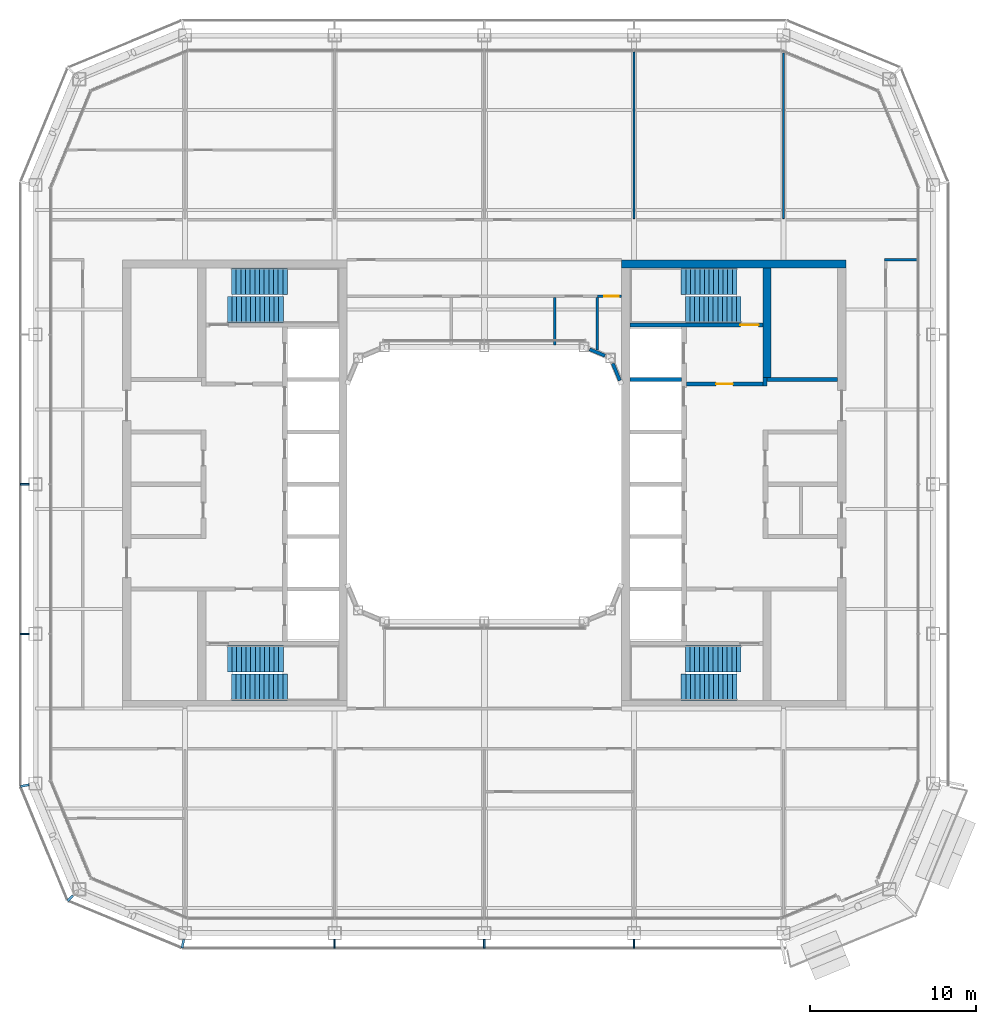
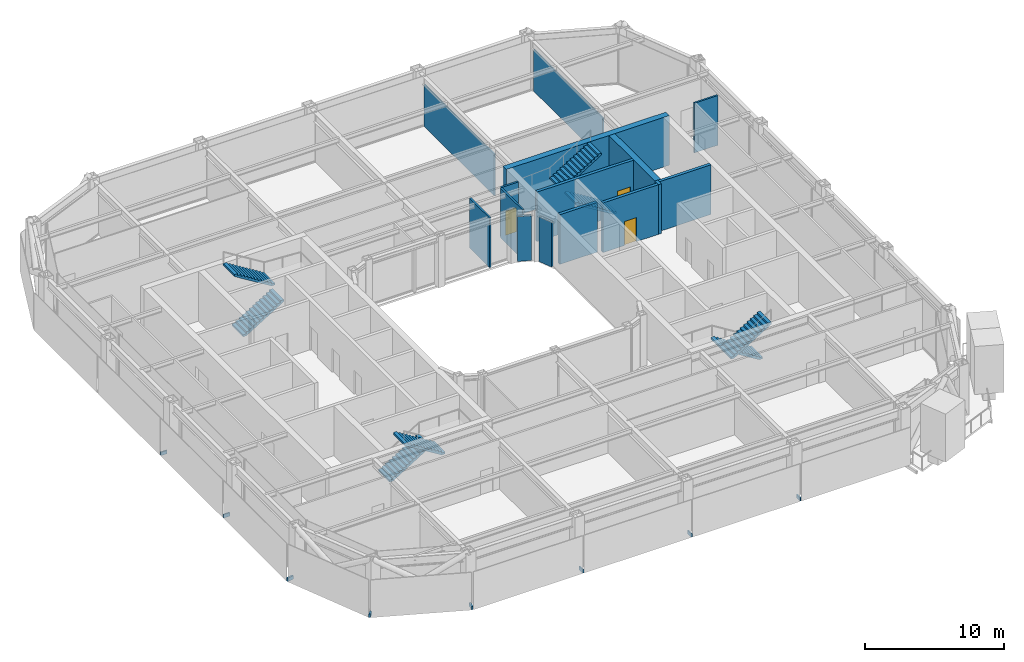
# One storey, part 15 of 22: 15 walls, 8 discrete accessories, 8 stair flights, 3 doors, 3 openings, 4 elements without a shape of their own.
"""IFC4 building model written with IfcOpenShell, lengths in metres."""

from ifc_helpers import new_model, si_unit, direction, frame, frame_2d, origin, origin_2d, place, context, subcontext, project, spatial, polyline, rectangle, outline, extrude, material, layer, layer_set, type_object, element, fill, aggregate, save


model = new_model("IFC4")

# Units and contexts
model_context = context("Model", 3, precision=1e-05, world=origin(), true_north=direction((0.0, 1.0)))
body_context = subcontext(model_context, "Body", "Model", "MODEL_VIEW")
ifc_project = project(units=[si_unit("LENGTHUNIT", "METRE"), si_unit("AREAUNIT", "SQUARE_METRE"), si_unit("VOLUMEUNIT", "CUBIC_METRE"), si_unit("PLANEANGLEUNIT", "RADIAN"), si_unit("MASSUNIT", "GRAM", prefix="KILO")], contexts=[model_context])

# Site, building, storey
site_placement = place(None, origin())
site = spatial("IfcSite", under=ifc_project, at=site_placement, CompositionType="ELEMENT")
building_placement = place(site_placement, origin())
building = spatial("IfcBuilding", under=site, at=building_placement, Name="Siwar Civic Tower", CompositionType="ELEMENT")
storey_placement = place(building_placement, frame((0.0, 0.0, 255.699951171875)))
storey = spatial("IfcBuildingStorey", under=building, at=storey_placement, Name="L55", CompositionType="ELEMENT", Elevation=255.699951171875)

# Wall, opening, door
ifc_material_1 = material(Name="Gypsum board on steel studs", Category="steel")
ifc_layer_1 = layer(ifc_material_1, 0.14990234375)
ifc_layer_set_1 = layer_set([ifc_layer_1], Name="Gypsum board on steel studs")
wall_type_1 = type_object("IfcWallType", Name="COMPARTMENT PARTITION 150 EI 60", PredefinedType="PARTITIONING", material=ifc_layer_set_1)
wall_1_placement = place(storey_placement, frame((6.800048828125, 11.300048828125, 0.0), z_axis=(0.0, 0.0, 1.0), x_axis=(1.0, 0.0, 0.0)))
wall_1 = element("IfcWall", 1, at=wall_1_placement, inside=storey, type_object=wall_type_1, Name="L55/wall/P08", PredefinedType="PARTITIONING", context=body_context, shape_type="SweptSolid", body=[
    extrude(rectangle(XDim=1.449951171875, YDim=0.14990234375, at=frame_2d((0.72509765625, 0.0))), origin(), (0.0, 0.0, 1.0), 4.35009765625),
])
opening_1_placement = place(wall_1_placement, frame((0.39990234375, 0.0, 0.0)))
opening_1 = element("IfcOpeningElement", 2, at=opening_1_placement, cuts=wall_1, Name="Opening D4", PredefinedType="OPENING", context=body_context, shape_type="SweptSolid", body=[
    extrude(rectangle(XDim=0.89990234375, YDim=2.10009765625, at=frame_2d((0.449951171875, 1.050048828125))), frame((0.0, 0.0849609375, 0.0), z_axis=(0.0, -1.0, 0.0), x_axis=(1.0, 0.0, 0.0)), (0.0, 0.0, 1.0), 0.169921875),
])
ifc_material_2 = material(Name="Timber, painted", Category="wood")
door_type_1 = type_object("IfcDoorType", Name="DOOR 900 X 2100 FD60", OperationType="SINGLE_SWING_LEFT", PredefinedType="DOOR", material=ifc_material_2)
door_1_placement = place(opening_1_placement, origin())
door_1 = element("IfcDoor", 3, at=door_1_placement, inside=storey, type_object=door_type_1, Name="L55-D23", OperationType="SINGLE_SWING_LEFT", OverallHeight=2.10009765625, OverallWidth=0.89990234375, PredefinedType="DOOR", context=body_context, shape_type="SweptSolid", body=[
    extrude(rectangle(XDim=0.89990234375, YDim=2.10009765625, at=frame_2d((0.449951171875, 1.050048828125))), frame((0.0, 0.02490234375, 0.0), z_axis=(0.0, -1.0, 0.0), x_axis=(1.0, 0.0, 0.0)), (0.0, 0.0, 1.0), 0.050048828125),
])
fill(opening_1, door_1)

# Wall
wall_2_placement = place(storey_placement, frame((6.800048828125, 8.069091796875, 0.0), z_axis=(0.0, 0.0, 1.0), x_axis=(0.0, 1.0, 0.0)))
element("IfcWall", 4, at=wall_2_placement, inside=storey, type_object=wall_type_1, Name="L55/wall/P25", PredefinedType="PARTITIONING", context=body_context, shape_type="SweptSolid", body=[
    extrude(rectangle(XDim=3.156005859375, YDim=0.14990234375, at=frame_2d((1.578125, 0.0))), origin(), (0.0, 0.0, 1.0), 4.35009765625),
])

# Wall, opening, door
ifc_material_3 = material(Name="Concrete C60/75", Category="concrete")
ifc_layer_2 = layer(ifc_material_3, 0.25)
ifc_layer_set_2 = layer_set([ifc_layer_2], Name="Concrete C60/75")
wall_type_2 = type_object("IfcWallType", Name="CORE-WALL-RC250", PredefinedType="SHEAR", material=ifc_layer_set_2)
wall_3_placement = place(storey_placement, frame((12.14990234375, 6.02490234375, 0.0), z_axis=(0.0, 0.0, 1.0), x_axis=(1.0, 0.0, 0.0)))
wall_3 = element("IfcWall", 5, at=wall_3_placement, inside=storey, type_object=wall_type_2, Name="Core wall E", PredefinedType="SHEAR", context=body_context, shape_type="SweptSolid", body=[
    extrude(rectangle(XDim=4.60009765625, YDim=0.25, at=frame_2d((2.300048828125, 0.0))), origin(), (0.0, 0.0, 1.0), 4.35009765625),
])
opening_2_placement = place(wall_3_placement, frame((1.800048828125, 0.0, 0.0)))
opening_2 = element("IfcOpeningElement", 6, at=opening_2_placement, cuts=wall_3, Name="Opening L55-CE01", PredefinedType="OPENING", context=body_context, shape_type="SweptSolid", body=[
    extrude(rectangle(XDim=1.0, YDim=2.10009765625, at=frame_2d((0.5, 1.050048828125))), frame((0.0, 0.135009765625, 0.0), z_axis=(0.0, -1.0, 0.0), x_axis=(1.0, 0.0, 0.0)), (0.0, 0.0, 1.0), 0.27001953125),
])
ifc_material_4 = material(Name="Steel door leaf", Category="steel")
door_type_2 = type_object("IfcDoorType", Name="CORE-DOOR-FD30S", OperationType="SINGLE_SWING_LEFT", PredefinedType="DOOR", material=ifc_material_4)
door_2_placement = place(opening_2_placement, origin())
door_2 = element("IfcDoor", 7, at=door_2_placement, inside=storey, type_object=door_type_2, Name="Firefighting lobby door L55-CE01", OperationType="SINGLE_SWING_RIGHT", OverallHeight=2.10009765625, OverallWidth=1.0, PredefinedType="DOOR", context=body_context, shape_type="SweptSolid", body=[
    extrude(rectangle(XDim=1.0, YDim=2.10009765625, at=frame_2d((0.5, 1.050048828125))), frame((0.0, 0.02490234375, 0.0), z_axis=(0.0, -1.0, 0.0), x_axis=(1.0, 0.0, 0.0)), (0.0, 0.0, 1.0), 0.050048828125),
])
fill(opening_2, door_2)

# Walls
wall_4_placement = place(storey_placement, frame((16.875, 5.89990234375, 0.0), z_axis=(0.0, 0.0, 1.0), x_axis=(0.0, 1.0, 0.0)))
element("IfcWall", 8, at=wall_4_placement, inside=storey, type_object=wall_type_2, Name="Core wall E", PredefinedType="SHEAR", context=body_context, shape_type="SweptSolid", body=[
    extrude(rectangle(XDim=0.525146484375, YDim=0.25, at=frame_2d((0.2626953125, 0.0))), origin(), (0.0, 0.0, 1.0), 4.35009765625),
])
wall_5_placement = place(storey_placement, frame((17.0, 6.300048828125, 0.0), z_axis=(0.0, 0.0, 1.0), x_axis=(1.0, 0.0, 0.0)))
element("IfcWall", 9, at=wall_5_placement, inside=storey, type_object=wall_type_2, Name="Core wall E", PredefinedType="SHEAR", context=body_context, shape_type="SweptSolid", body=[
    extrude(rectangle(XDim=4.25, YDim=0.25, at=frame_2d((2.125, 0.0))), origin(), (0.0, 0.0, 1.0), 4.35009765625),
])
wall_6_placement = place(storey_placement, frame((8.75, 6.300048828125, 0.0), z_axis=(0.0, 0.0, 1.0), x_axis=(1.0, 0.0, 0.0)))
element("IfcWall", 10, at=wall_6_placement, inside=storey, type_object=wall_type_2, Name="Core wall E", PredefinedType="SHEAR", context=body_context, shape_type="SweptSolid", body=[
    extrude(rectangle(XDim=3.10009765625, YDim=0.25, at=frame_2d((1.550048828125, 0.0))), origin(), (0.0, 0.0, 1.0), 4.35009765625),
])

# Wall, opening, door
wall_7_placement = place(storey_placement, frame((8.75, 9.574951171875, 0.0), z_axis=(0.0, 0.0, 1.0), x_axis=(1.0, 0.0, 0.0)))
wall_7 = element("IfcWall", 11, at=wall_7_placement, inside=storey, type_object=wall_type_2, Name="Core wall E", PredefinedType="SHEAR", context=body_context, shape_type="SweptSolid", body=[
    extrude(rectangle(XDim=8.0, YDim=0.25, at=frame_2d((4.0, 0.0))), origin(), (0.0, 0.0, 1.0), 4.35009765625),
])
opening_3_placement = place(wall_7_placement, frame((6.64990234375, 0.0, 0.0)))
opening_3 = element("IfcOpeningElement", 12, at=opening_3_placement, cuts=wall_7, Name="Opening L55-CE03", PredefinedType="OPENING", context=body_context, shape_type="SweptSolid", body=[
    extrude(rectangle(XDim=1.10009765625, YDim=2.10009765625, at=frame_2d((0.550048828125, 1.050048828125))), frame((0.0, 0.135009765625, 0.0), z_axis=(0.0, -1.0, 0.0), x_axis=(1.0, 0.0, 0.0)), (0.0, 0.0, 1.0), 0.27001953125),
])
ifc_material_5 = material(Name="Steel door leaf", Category="steel")
door_type_3 = type_object("IfcDoorType", Name="CORE-DOOR-FD60S", OperationType="SINGLE_SWING_LEFT", PredefinedType="DOOR", material=ifc_material_5)
door_3_placement = place(opening_3_placement, origin())
door_3 = element("IfcDoor", 13, at=door_3_placement, inside=storey, type_object=door_type_3, Name="Stair door L55-CE03", OperationType="SINGLE_SWING_LEFT", OverallHeight=2.10009765625, OverallWidth=1.10009765625, PredefinedType="DOOR", context=body_context, shape_type="SweptSolid", body=[
    extrude(rectangle(XDim=1.10009765625, YDim=2.10009765625, at=frame_2d((0.550048828125, 1.050048828125))), frame((0.0, 0.02490234375, 0.0), z_axis=(0.0, -1.0, 0.0), x_axis=(1.0, 0.0, 0.0)), (0.0, 0.0, 1.0), 0.050048828125),
])
fill(opening_3, door_3)

# Walls
ifc_material_6 = material(Name="Concrete C60/75", Category="concrete")
ifc_layer_3 = layer(ifc_material_6, 0.5)
ifc_layer_set_3 = layer_set([ifc_layer_3], Name="Concrete C60/75")
wall_type_3 = type_object("IfcWallType", Name="CORE-WALL-RC500", PredefinedType="SHEAR", material=ifc_layer_set_3)
wall_8_placement = place(storey_placement, frame((17.0, 6.425048828125, 0.0), z_axis=(0.0, 0.0, 1.0), x_axis=(0.0, 1.0, 0.0)))
element("IfcWall", 14, at=wall_8_placement, inside=storey, type_object=wall_type_3, Name="Core wall E", PredefinedType="SHEAR", context=body_context, shape_type="SweptSolid", body=[
    extrude(rectangle(XDim=6.574951171875, YDim=0.5, at=frame_2d((3.28759765625, 0.0))), origin(), (0.0, 0.0, 1.0), 4.35009765625),
])
wall_9_placement = place(storey_placement, frame((8.25, 13.25, 0.0), z_axis=(0.0, 0.0, 1.0), x_axis=(1.0, 0.0, 0.0)))
element("IfcWall", 15, at=wall_9_placement, inside=storey, type_object=wall_type_3, Name="Core wall E", PredefinedType="SHEAR", context=body_context, shape_type="SweptSolid", body=[
    extrude(rectangle(XDim=13.5, YDim=0.5, at=frame_2d((6.75, 0.0))), origin(), (0.0, 0.0, 1.0), 4.35009765625),
])
ifc_material_7 = material(Name="Gypsum board on steel studs", Category="steel")
ifc_layer_4 = layer(ifc_material_7, 0.14990234375)
ifc_layer_set_4 = layer_set([ifc_layer_4], Name="Gypsum board on steel studs")
wall_type_4 = type_object("IfcWallType", Name="CORRIDOR PARTITION 150 EI 30", PredefinedType="PARTITIONING", material=ifc_layer_set_4)
wall_10_placement = place(storey_placement, frame((24.074951171875, 13.5, 0.0), z_axis=(0.0, 0.0, 1.0), x_axis=(1.0, 0.0, 0.0)))
element("IfcWall", 16, at=wall_10_placement, inside=storey, type_object=wall_type_4, Name="L55/wall/P11", PredefinedType="PARTITIONING", context=body_context, shape_type="SweptSolid", body=[
    extrude(rectangle(XDim=1.93505859375, YDim=0.14990234375, at=frame_2d((0.967529296875, 0.0))), origin(), (0.0, 0.0, 1.0), 4.35009765625),
])
wall_11_placement = place(storey_placement, frame((4.25, 8.3701171875, 0.0), z_axis=(0.0, 0.0, 1.0), x_axis=(0.0, 1.0, 0.0)))
element("IfcWall", 17, at=wall_11_placement, inside=storey, type_object=wall_type_4, Name="L55/wall/P24", PredefinedType="PARTITIONING", context=body_context, shape_type="SweptSolid", body=[
    extrude(rectangle(XDim=2.85498046875, YDim=0.14990234375, at=frame_2d((1.427490234375, 0.0))), origin(), (0.0, 0.0, 1.0), 4.35009765625),
])
ifc_material_8 = material(Name="Aluminium clad insulated panel", Category="aluminium")
ifc_layer_5 = layer(ifc_material_8, 0.199951171875)
ifc_layer_set_5 = layer_set([ifc_layer_5], Name="Aluminium clad insulated panel")
wall_type_5 = type_object("IfcWallType", Name="ENV-WALL-WELL", PredefinedType="STANDARD", material=ifc_layer_set_5)
wall_12_placement = place(storey_placement, frame((8.154296875, 6.23095703125, 0.0), z_axis=(0.0, 0.0, 1.0), x_axis=(-0.382635994082, 0.923899180665, 0.0)))
element("IfcWall", 18, at=wall_12_placement, inside=storey, type_object=wall_type_5, Name="Light well corner wall NE1", PredefinedType="STANDARD", context=body_context, shape_type="SweptSolid", body=[
    extrude(rectangle(XDim=1.11279296875, YDim=0.199951171875, at=frame_2d((0.556396484375, 0.0))), origin(), (0.0, 0.0, 1.0), 3.91796875),
])
wall_13_placement = place(storey_placement, frame((7.259033203125, 7.728515625, 0.0), z_axis=(0.0, 0.0, 1.0), x_axis=(-0.923859650767, 0.382731427616, 0.0)))
element("IfcWall", 19, at=wall_13_placement, inside=storey, type_object=wall_type_5, Name="Light well corner wall NE2", PredefinedType="STANDARD", context=body_context, shape_type="SweptSolid", body=[
    extrude(rectangle(XDim=1.00341796875, YDim=0.199951171875, at=frame_2d((0.501708984375, 0.0))), origin(), (0.0, 0.0, 1.0), 3.91796875),
])
ifc_material_9 = material(Name="Gypsum board on steel studs", Category="steel")
ifc_layer_6 = layer(ifc_material_9, 0.10009765625)
ifc_layer_set_6 = layer_set([ifc_layer_6], Name="Gypsum board on steel studs")
wall_type_6 = type_object("IfcWallType", Name="PARTITION 100 GYPSUM", PredefinedType="PARTITIONING", material=ifc_layer_set_6)
wall_14_placement = place(storey_placement, frame((9.0, 15.97509765625, 0.0), z_axis=(0.0, 0.0, 1.0), x_axis=(0.0, 1.0, 0.0)))
element("IfcWall", 20, at=wall_14_placement, inside=storey, type_object=wall_type_6, Name="L55/wall/P27", PredefinedType="PARTITIONING", context=body_context, shape_type="SweptSolid", body=[
    extrude(rectangle(XDim=10.034912109375, YDim=0.10009765625, at=frame_2d((5.017578125, 0.0))), origin(), (0.0, 0.0, 1.0), 3.650146484375),
])
wall_15_placement = place(storey_placement, frame((18.0, 15.97509765625, 0.0), z_axis=(0.0, 0.0, 1.0), x_axis=(0.0, 1.0, 0.0)))
element("IfcWall", 21, at=wall_15_placement, inside=storey, type_object=wall_type_6, Name="L55/wall/P29", PredefinedType="PARTITIONING", context=body_context, shape_type="SweptSolid", body=[
    extrude(rectangle(XDim=9.952880859375, YDim=0.10009765625, at=frame_2d((4.9765625, 0.0))), origin(), (0.0, 0.0, 1.0), 3.650146484375),
])

# Stair, stair flights
ifc_material_10 = material(Name="Concrete C40/50", Category="concrete")
stair_type = type_object("IfcStairType", Name="CORE-STAIR", PredefinedType="TWO_STRAIGHT_RUN_STAIR", material=ifc_material_10)
stair_1_placement = place(storey_placement, origin())
stair_1 = element("IfcStair", 22, at=stair_1_placement, inside=storey, type_object=stair_type, Name="Exit stair ST1", PredefinedType="TWO_STRAIGHT_RUN_STAIR")
ifc_material_11 = material(Name="Concrete C40/50", Category="concrete")
stair_flight_type = type_object("IfcStairFlightType", Name="CORE-STAIR-FLIGHT", PredefinedType="STRAIGHT", material=ifc_material_11)
stair_flight_1_placement = place(storey_placement, frame((-15.449951171875, 10.5, 0.0), z_axis=(0.0, 0.0, 1.0), x_axis=(1.0, 0.0, 0.0)))
stair_flight_1 = element("IfcStairFlight", 23, at=stair_flight_1_placement, type_object=stair_flight_type, Name="ST1 flight 1", NumberOfRisers=13, NumberOfTreads=12, PredefinedType="STRAIGHT", RiserHeight=0.173076923, TreadLength=0.28, context=body_context, shape_type="SweptSolid", body=[
    extrude(outline(polyline([(0.0, 0.0), (0.0, 0.173095703125), (0.280029296875, 0.173095703125), (0.280029296875, 0.34619140625), (0.56005859375, 0.34619140625), (0.56005859375, 0.519287109375), (0.840087890625, 0.519287109375), (0.840087890625, 0.6923828125), (1.1201171875, 0.6923828125), (1.1201171875, 0.865478515625), (1.39990234375, 0.865478515625), (1.39990234375, 1.03857421875), (1.679931640625, 1.03857421875), (1.679931640625, 1.21142578125), (1.9599609375, 1.21142578125), (1.9599609375, 1.384521484375), (2.239990234375, 1.384521484375), (2.239990234375, 1.5576171875), (2.52001953125, 1.5576171875), (2.52001953125, 1.730712890625), (2.800048828125, 1.730712890625), (2.800048828125, 1.90380859375), (3.080078125, 1.90380859375), (3.080078125, 2.076904296875), (3.360107421875, 2.076904296875), (3.360107421875, 2.25), (3.360107421875, 1.900634765625), (0.28515625, 0.0), (0.0, 0.0)])), frame((0.0, 0.800048828125, 0.0), z_axis=(0.0, -1.0, 0.0), x_axis=(1.0, 0.0, 0.0)), (0.0, 0.0, 1.0), 1.60009765625),
])
stair_flight_2_placement = place(storey_placement, frame((-11.840087890625, 12.199951171875, 2.25), z_axis=(0.0, 0.0, 1.0), x_axis=(-1.0, 0.0, 0.0)))
stair_flight_2 = element("IfcStairFlight", 24, at=stair_flight_2_placement, type_object=stair_flight_type, Name="ST1 flight 2", NumberOfRisers=13, NumberOfTreads=12, PredefinedType="STRAIGHT", RiserHeight=0.173076923, TreadLength=0.28, context=body_context, shape_type="SweptSolid", body=[
    extrude(outline(polyline([(0.0, 0.0), (0.0, 0.173095703125), (0.280029296875, 0.173095703125), (0.280029296875, 0.34619140625), (0.56005859375, 0.34619140625), (0.56005859375, 0.519287109375), (0.840087890625, 0.519287109375), (0.840087890625, 0.6923828125), (1.1201171875, 0.6923828125), (1.1201171875, 0.865478515625), (1.39990234375, 0.865478515625), (1.39990234375, 1.03857421875), (1.679931640625, 1.03857421875), (1.679931640625, 1.21142578125), (1.9599609375, 1.21142578125), (1.9599609375, 1.384521484375), (2.239990234375, 1.384521484375), (2.239990234375, 1.5576171875), (2.52001953125, 1.5576171875), (2.52001953125, 1.730712890625), (2.800048828125, 1.730712890625), (2.800048828125, 1.90380859375), (3.080078125, 1.90380859375), (3.080078125, 2.076904296875), (3.360107421875, 2.076904296875), (3.360107421875, 2.25), (3.360107421875, 1.900634765625), (0.28515625, 0.0), (0.0, 0.0)])), frame((0.0, 0.800048828125, 0.0), z_axis=(0.0, -1.0, 0.0), x_axis=(1.0, 0.0, 0.0)), (0.0, 0.0, 1.0), 1.60009765625),
])
aggregate(stair_1, [stair_flight_1, stair_flight_2])

stair_2_placement = place(storey_placement, origin())
stair_2 = element("IfcStair", 25, at=stair_2_placement, inside=storey, type_object=stair_type, Name="Exit stair ST2", PredefinedType="TWO_STRAIGHT_RUN_STAIR")
stair_flight_3_placement = place(storey_placement, frame((-15.449951171875, -10.5, 0.0), z_axis=(0.0, 0.0, 1.0), x_axis=(1.0, 0.0, 0.0)))
stair_flight_3 = element("IfcStairFlight", 26, at=stair_flight_3_placement, type_object=stair_flight_type, Name="ST2 flight 1", NumberOfRisers=13, NumberOfTreads=12, PredefinedType="STRAIGHT", RiserHeight=0.173076923, TreadLength=0.28, context=body_context, shape_type="SweptSolid", body=[
    extrude(outline(polyline([(0.0, 0.0), (0.0, 0.173095703125), (0.280029296875, 0.173095703125), (0.280029296875, 0.34619140625), (0.56005859375, 0.34619140625), (0.56005859375, 0.519287109375), (0.840087890625, 0.519287109375), (0.840087890625, 0.6923828125), (1.1201171875, 0.6923828125), (1.1201171875, 0.865478515625), (1.39990234375, 0.865478515625), (1.39990234375, 1.03857421875), (1.679931640625, 1.03857421875), (1.679931640625, 1.21142578125), (1.9599609375, 1.21142578125), (1.9599609375, 1.384521484375), (2.239990234375, 1.384521484375), (2.239990234375, 1.5576171875), (2.52001953125, 1.5576171875), (2.52001953125, 1.730712890625), (2.800048828125, 1.730712890625), (2.800048828125, 1.90380859375), (3.080078125, 1.90380859375), (3.080078125, 2.076904296875), (3.360107421875, 2.076904296875), (3.360107421875, 2.25), (3.360107421875, 1.900634765625), (0.28515625, 0.0), (0.0, 0.0)])), frame((0.0, 0.800048828125, 0.0), z_axis=(0.0, -1.0, 0.0), x_axis=(1.0, 0.0, 0.0)), (0.0, 0.0, 1.0), 1.60009765625),
])
stair_flight_4_placement = place(storey_placement, frame((-11.840087890625, -12.199951171875, 2.25), z_axis=(0.0, 0.0, 1.0), x_axis=(-1.0, 0.0, 0.0)))
stair_flight_4 = element("IfcStairFlight", 27, at=stair_flight_4_placement, type_object=stair_flight_type, Name="ST2 flight 2", NumberOfRisers=13, NumberOfTreads=12, PredefinedType="STRAIGHT", RiserHeight=0.173076923, TreadLength=0.28, context=body_context, shape_type="SweptSolid", body=[
    extrude(outline(polyline([(0.0, 0.0), (0.0, 0.173095703125), (0.280029296875, 0.173095703125), (0.280029296875, 0.34619140625), (0.56005859375, 0.34619140625), (0.56005859375, 0.519287109375), (0.840087890625, 0.519287109375), (0.840087890625, 0.6923828125), (1.1201171875, 0.6923828125), (1.1201171875, 0.865478515625), (1.39990234375, 0.865478515625), (1.39990234375, 1.03857421875), (1.679931640625, 1.03857421875), (1.679931640625, 1.21142578125), (1.9599609375, 1.21142578125), (1.9599609375, 1.384521484375), (2.239990234375, 1.384521484375), (2.239990234375, 1.5576171875), (2.52001953125, 1.5576171875), (2.52001953125, 1.730712890625), (2.800048828125, 1.730712890625), (2.800048828125, 1.90380859375), (3.080078125, 1.90380859375), (3.080078125, 2.076904296875), (3.360107421875, 2.076904296875), (3.360107421875, 2.25), (3.360107421875, 1.900634765625), (0.28515625, 0.0), (0.0, 0.0)])), frame((0.0, 0.800048828125, 0.0), z_axis=(0.0, -1.0, 0.0), x_axis=(1.0, 0.0, 0.0)), (0.0, 0.0, 1.0), 1.60009765625),
])
aggregate(stair_2, [stair_flight_3, stair_flight_4])

stair_3_placement = place(storey_placement, origin())
stair_3 = element("IfcStair", 28, at=stair_3_placement, inside=storey, type_object=stair_type, Name="Exit stair ST3", PredefinedType="TWO_STRAIGHT_RUN_STAIR")
stair_flight_5_placement = place(storey_placement, frame((15.449951171875, 10.5, 0.0), z_axis=(0.0, 0.0, 1.0), x_axis=(-1.0, 0.0, 0.0)))
stair_flight_5 = element("IfcStairFlight", 29, at=stair_flight_5_placement, type_object=stair_flight_type, Name="ST3 flight 1", NumberOfRisers=13, NumberOfTreads=12, PredefinedType="STRAIGHT", RiserHeight=0.173076923, TreadLength=0.28, context=body_context, shape_type="SweptSolid", body=[
    extrude(outline(polyline([(0.0, 0.0), (0.0, 0.173095703125), (0.280029296875, 0.173095703125), (0.280029296875, 0.34619140625), (0.56005859375, 0.34619140625), (0.56005859375, 0.519287109375), (0.840087890625, 0.519287109375), (0.840087890625, 0.6923828125), (1.1201171875, 0.6923828125), (1.1201171875, 0.865478515625), (1.39990234375, 0.865478515625), (1.39990234375, 1.03857421875), (1.679931640625, 1.03857421875), (1.679931640625, 1.21142578125), (1.9599609375, 1.21142578125), (1.9599609375, 1.384521484375), (2.239990234375, 1.384521484375), (2.239990234375, 1.5576171875), (2.52001953125, 1.5576171875), (2.52001953125, 1.730712890625), (2.800048828125, 1.730712890625), (2.800048828125, 1.90380859375), (3.080078125, 1.90380859375), (3.080078125, 2.076904296875), (3.360107421875, 2.076904296875), (3.360107421875, 2.25), (3.360107421875, 1.900634765625), (0.28515625, 0.0), (0.0, 0.0)])), frame((0.0, 0.800048828125, 0.0), z_axis=(0.0, -1.0, 0.0), x_axis=(1.0, 0.0, 0.0)), (0.0, 0.0, 1.0), 1.60009765625),
])
stair_flight_6_placement = place(storey_placement, frame((11.840087890625, 12.199951171875, 2.25), z_axis=(0.0, 0.0, 1.0), x_axis=(1.0, 0.0, 0.0)))
stair_flight_6 = element("IfcStairFlight", 30, at=stair_flight_6_placement, type_object=stair_flight_type, Name="ST3 flight 2", NumberOfRisers=13, NumberOfTreads=12, PredefinedType="STRAIGHT", RiserHeight=0.173076923, TreadLength=0.28, context=body_context, shape_type="SweptSolid", body=[
    extrude(outline(polyline([(0.0, 0.0), (0.0, 0.173095703125), (0.280029296875, 0.173095703125), (0.280029296875, 0.34619140625), (0.56005859375, 0.34619140625), (0.56005859375, 0.519287109375), (0.840087890625, 0.519287109375), (0.840087890625, 0.6923828125), (1.1201171875, 0.6923828125), (1.1201171875, 0.865478515625), (1.39990234375, 0.865478515625), (1.39990234375, 1.03857421875), (1.679931640625, 1.03857421875), (1.679931640625, 1.21142578125), (1.9599609375, 1.21142578125), (1.9599609375, 1.384521484375), (2.239990234375, 1.384521484375), (2.239990234375, 1.5576171875), (2.52001953125, 1.5576171875), (2.52001953125, 1.730712890625), (2.800048828125, 1.730712890625), (2.800048828125, 1.90380859375), (3.080078125, 1.90380859375), (3.080078125, 2.076904296875), (3.360107421875, 2.076904296875), (3.360107421875, 2.25), (3.360107421875, 1.900634765625), (0.28515625, 0.0), (0.0, 0.0)])), frame((0.0, 0.800048828125, 0.0), z_axis=(0.0, -1.0, 0.0), x_axis=(1.0, 0.0, 0.0)), (0.0, 0.0, 1.0), 1.60009765625),
])
aggregate(stair_3, [stair_flight_5, stair_flight_6])

stair_4_placement = place(storey_placement, origin())
stair_4 = element("IfcStair", 31, at=stair_4_placement, inside=storey, type_object=stair_type, Name="Exit stair ST4", PredefinedType="TWO_STRAIGHT_RUN_STAIR")
stair_flight_7_placement = place(storey_placement, frame((15.449951171875, -10.5, 0.0), z_axis=(0.0, 0.0, 1.0), x_axis=(-1.0, 0.0, 0.0)))
stair_flight_7 = element("IfcStairFlight", 32, at=stair_flight_7_placement, type_object=stair_flight_type, Name="ST4 flight 1", NumberOfRisers=13, NumberOfTreads=12, PredefinedType="STRAIGHT", RiserHeight=0.173076923, TreadLength=0.28, context=body_context, shape_type="SweptSolid", body=[
    extrude(outline(polyline([(0.0, 0.0), (0.0, 0.173095703125), (0.280029296875, 0.173095703125), (0.280029296875, 0.34619140625), (0.56005859375, 0.34619140625), (0.56005859375, 0.519287109375), (0.840087890625, 0.519287109375), (0.840087890625, 0.6923828125), (1.1201171875, 0.6923828125), (1.1201171875, 0.865478515625), (1.39990234375, 0.865478515625), (1.39990234375, 1.03857421875), (1.679931640625, 1.03857421875), (1.679931640625, 1.21142578125), (1.9599609375, 1.21142578125), (1.9599609375, 1.384521484375), (2.239990234375, 1.384521484375), (2.239990234375, 1.5576171875), (2.52001953125, 1.5576171875), (2.52001953125, 1.730712890625), (2.800048828125, 1.730712890625), (2.800048828125, 1.90380859375), (3.080078125, 1.90380859375), (3.080078125, 2.076904296875), (3.360107421875, 2.076904296875), (3.360107421875, 2.25), (3.360107421875, 1.900634765625), (0.28515625, 0.0), (0.0, 0.0)])), frame((0.0, 0.800048828125, 0.0), z_axis=(0.0, -1.0, 0.0), x_axis=(1.0, 0.0, 0.0)), (0.0, 0.0, 1.0), 1.60009765625),
])
stair_flight_8_placement = place(storey_placement, frame((11.840087890625, -12.199951171875, 2.25), z_axis=(0.0, 0.0, 1.0), x_axis=(1.0, 0.0, 0.0)))
stair_flight_8 = element("IfcStairFlight", 33, at=stair_flight_8_placement, type_object=stair_flight_type, Name="ST4 flight 2", NumberOfRisers=13, NumberOfTreads=12, PredefinedType="STRAIGHT", RiserHeight=0.173076923, TreadLength=0.28, context=body_context, shape_type="SweptSolid", body=[
    extrude(outline(polyline([(0.0, 0.0), (0.0, 0.173095703125), (0.280029296875, 0.173095703125), (0.280029296875, 0.34619140625), (0.56005859375, 0.34619140625), (0.56005859375, 0.519287109375), (0.840087890625, 0.519287109375), (0.840087890625, 0.6923828125), (1.1201171875, 0.6923828125), (1.1201171875, 0.865478515625), (1.39990234375, 0.865478515625), (1.39990234375, 1.03857421875), (1.679931640625, 1.03857421875), (1.679931640625, 1.21142578125), (1.9599609375, 1.21142578125), (1.9599609375, 1.384521484375), (2.239990234375, 1.384521484375), (2.239990234375, 1.5576171875), (2.52001953125, 1.5576171875), (2.52001953125, 1.730712890625), (2.800048828125, 1.730712890625), (2.800048828125, 1.90380859375), (3.080078125, 1.90380859375), (3.080078125, 2.076904296875), (3.360107421875, 2.076904296875), (3.360107421875, 2.25), (3.360107421875, 1.900634765625), (0.28515625, 0.0), (0.0, 0.0)])), frame((0.0, 0.800048828125, 0.0), z_axis=(0.0, -1.0, 0.0), x_axis=(1.0, 0.0, 0.0)), (0.0, 0.0, 1.0), 1.60009765625),
])
aggregate(stair_4, [stair_flight_7, stair_flight_8])

# Discrete accessories
ifc_material_12 = material(Name="Stainless steel 316", Category="steel")
discrete_accessory_type = type_object("IfcDiscreteAccessoryType", Name="ENV-BRACKET", PredefinedType="BRACKET", material=ifc_material_12)
for number, where, z_axis, x_axis, name in (
    (34, (-9.0, -27.639892578125, -0.14990234375), (0.0, 0.0, 1.0), (0.0, -1.0, 0.0), "Bracket outer skin joint S-01"),
    (35, (0.0, -27.639892578125, -0.14990234375), (0.0, 0.0, 1.0), (0.0, -1.0, 0.0), "Bracket outer skin joint S-02"),
    (36, (9.0, -27.639892578125, -0.14990234375), (0.0, 0.0, 1.0), (0.0, -1.0, 0.0), "Bracket outer skin joint S-03"),
):
    element("IfcDiscreteAccessory", number, at=place(storey_placement, frame(where, z_axis=z_axis, x_axis=x_axis)), inside=storey, type_object=discrete_accessory_type, Name=name, PredefinedType="BRACKET", context=body_context, shape_type="SweptSolid", body=[
        extrude(rectangle(XDim=0.52001953125, YDim=0.10009765625, at=origin_2d()), origin(), (0.0, 0.0, 1.0), 0.300048828125),
    ])
for number, where, z_axis, x_axis, name in (
    (37, (-18.12744140625, -27.64013671875, -0.14990234375), (0.0, 0.0, 1.0), (-0.195090322016, -0.980785280403, 0.0), "Bracket outer skin joint V00"),
    (38, (-27.64013671875, -18.12744140625, -0.14990234375), (0.0, 0.0, 1.0), (-0.980785280403, -0.195090322016, 0.0), "Bracket outer skin joint V10"),
):
    element("IfcDiscreteAccessory", number, at=place(storey_placement, frame(where, z_axis=z_axis, x_axis=x_axis)), inside=storey, type_object=discrete_accessory_type, Name=name, PredefinedType="BRACKET", context=body_context, shape_type="SweptSolid", body=[
        extrude(rectangle(XDim=0.52978515625, YDim=0.13720703125, at=origin_2d()), origin(), (0.0, 0.0, 1.0), 0.300048828125),
    ])
discrete_accessory_placement = place(storey_placement, frame((-24.9013671875, -24.9013671875, -0.14990234375), z_axis=(0.0, 0.0, 1.0), x_axis=(-0.707106781187, -0.707106781187, 0.0)))
element("IfcDiscreteAccessory", 39, at=discrete_accessory_placement, inside=storey, type_object=discrete_accessory_type, Name="Bracket outer skin joint V11", PredefinedType="BRACKET", context=body_context, shape_type="SweptSolid", body=[
    extrude(rectangle(XDim=0.428466796875, YDim=0.12939453125, at=origin_2d()), origin(), (0.0, 0.0, 1.0), 0.300048828125),
])
for number, where, z_axis, x_axis, name in (
    (40, (-27.639892578125, 0.0, -0.14990234375), (0.0, 0.0, 1.0), (-1.0, 0.0, 0.0), "Bracket outer skin joint W-02"),
    (41, (-27.639892578125, -9.0, -0.14990234375), (0.0, 0.0, 1.0), (-1.0, 0.0, 0.0), "Bracket outer skin joint W-03"),
):
    element("IfcDiscreteAccessory", number, at=place(storey_placement, frame(where, z_axis=z_axis, x_axis=x_axis)), inside=storey, type_object=discrete_accessory_type, Name=name, PredefinedType="BRACKET", context=body_context, shape_type="SweptSolid", body=[
        extrude(rectangle(XDim=0.52001953125, YDim=0.10009765625, at=origin_2d()), origin(), (0.0, 0.0, 1.0), 0.300048828125),
    ])

save(model, "model.ifc")
